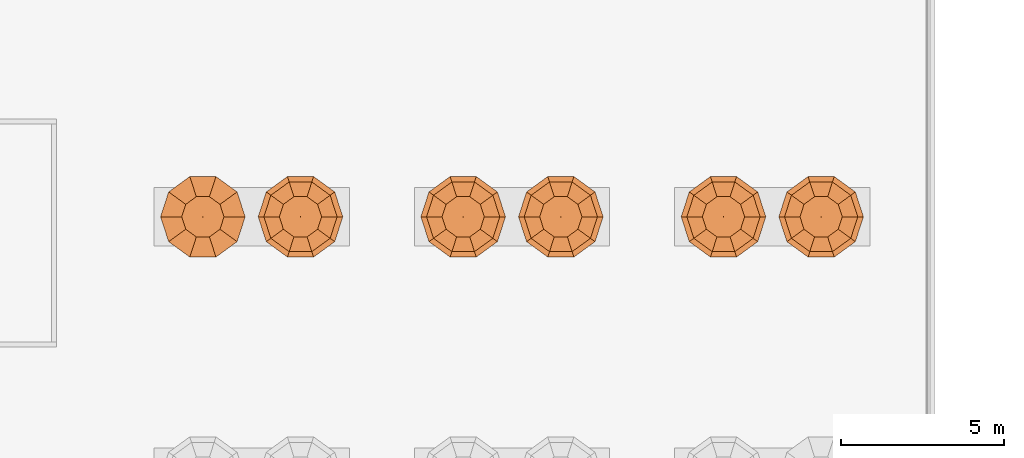
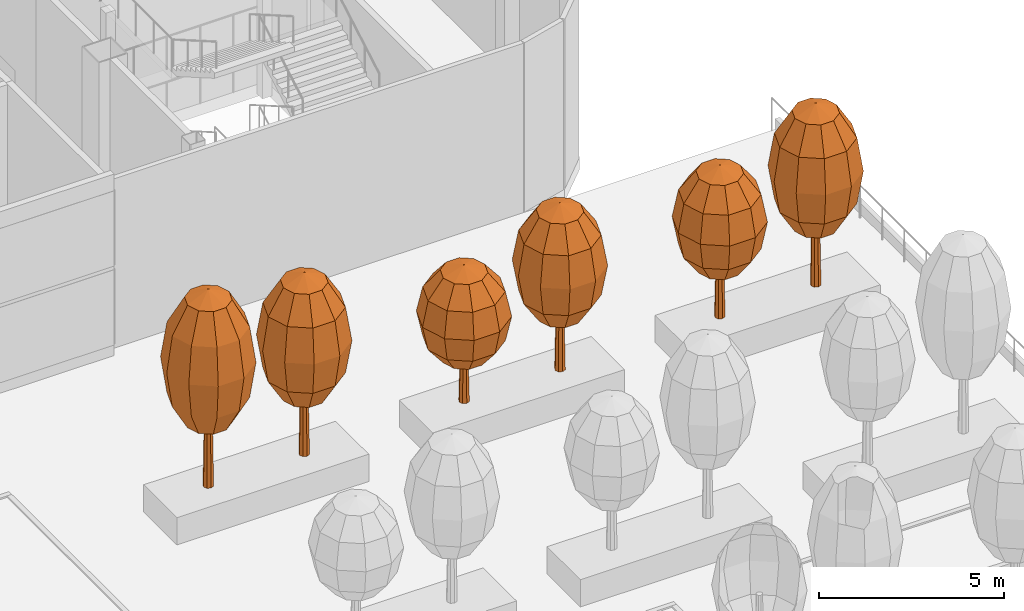
# One storey, part 100 of 100: 6 proxies.
"""IFC4 building model written with IfcOpenShell, lengths in metres."""

from ifc_helpers import new_model, si_unit, direction, frame, origin, place, context, subcontext, project, spatial, triangles, element, save


model = new_model("IFC4")

# Units and contexts
model_context = context("Model", 3, precision=1e-05, world=origin(), true_north=direction((0.0, 1.0)))
body_context = subcontext(model_context, "Body", "Model", "MODEL_VIEW")
ifc_project = project(units=[si_unit("LENGTHUNIT", "METRE"), si_unit("AREAUNIT", "SQUARE_METRE"), si_unit("VOLUMEUNIT", "CUBIC_METRE"), si_unit("PLANEANGLEUNIT", "RADIAN"), si_unit("MASSUNIT", "GRAM", prefix="KILO")], contexts=[model_context])

# Site, building, storey
site_placement = place(None, origin())
site = spatial("IfcSite", under=ifc_project, at=site_placement, CompositionType="ELEMENT")
building_placement = place(site_placement, origin())
building = spatial("IfcBuilding", under=site, at=building_placement, Name="Hakoniwa Tower and Hamabe Station Hall", CompositionType="ELEMENT")
storey_placement = place(building_placement, frame((0.0, 0.0, 9.0)))
storey = spatial("IfcBuildingStorey", under=building, at=storey_placement, Name="L02", CompositionType="ELEMENT", Elevation=9.0)

# Proxies
proxy_1_placement = place(storey_placement, frame((37.5, -33.0, 0.89990234375)))
element("IfcBuildingElementProxy", 1, at=proxy_1_placement, inside=storey, Name="Tree Quercus phillyraeoides 22-1", ObjectType="TREE", PredefinedType="USERDEFINED", context=body_context, shape_type="Tessellation", body=[
    triangles([(0.14990234375, 0.0, 0.0), (0.106201171875, 0.106201171875, 0.0), (0.0, 0.14990234375, 0.0), (-0.106201171875, 0.106201171875, 0.0), (-0.14990234375, 0.0, 0.0), (-0.106201171875, -0.106201171875, 0.0), (0.0, -0.14990234375, 0.0), (0.106201171875, -0.106201171875, 0.0), (0.090087890625, 0.0, 3.926025390625), (0.063720703125, 0.063720703125, 3.926025390625), (0.0, 0.090087890625, 3.926025390625), (-0.063720703125, 0.063720703125, 3.926025390625), (-0.090087890625, 0.0, 3.926025390625), (-0.063720703125, -0.063720703125, 3.926025390625), (0.0, -0.090087890625, 3.926025390625), (0.063720703125, -0.063720703125, 3.926025390625), (0.0, 0.0, 0.0), (0.0, 0.0, 3.926025390625)], [[1, 2, 10], [1, 10, 9], [17, 2, 1], [18, 9, 10], [2, 3, 11], [2, 11, 10], [17, 3, 2], [18, 10, 11], [3, 4, 12], [3, 12, 11], [17, 4, 3], [18, 11, 12], [4, 5, 13], [4, 13, 12], [17, 5, 4], [18, 12, 13], [5, 6, 14], [5, 14, 13], [17, 6, 5], [18, 13, 14], [6, 7, 15], [6, 15, 14], [17, 7, 6], [18, 14, 15], [7, 8, 16], [7, 16, 15], [17, 8, 7], [18, 15, 16], [8, 1, 9], [8, 9, 16], [17, 1, 8], [18, 16, 9]], closed=True),
    triangles([(0.0, 0.0, 1.820068359375), (0.64990234375, 0.0, 2.133544921875), (0.52587890625, 0.382080078125, 2.133544921875), (0.200927734375, 0.6181640625, 2.133544921875), (-0.200927734375, 0.6181640625, 2.133544921875), (-0.52587890625, 0.382080078125, 2.133544921875), (-0.64990234375, 0.0, 2.133544921875), (-0.52587890625, -0.382080078125, 2.133544921875), (-0.200927734375, -0.6181640625, 2.133544921875), (0.200927734375, -0.6181640625, 2.133544921875), (0.52587890625, -0.382080078125, 2.133544921875), (1.1259765625, 0.0, 2.989990234375), (0.910888671875, 0.661865234375, 2.989990234375), (0.347900390625, 1.07080078125, 2.989990234375), (-0.347900390625, 1.07080078125, 2.989990234375), (-0.910888671875, 0.661865234375, 2.989990234375), (-1.1259765625, 0.0, 2.989990234375), (-0.910888671875, -0.661865234375, 2.989990234375), (-0.347900390625, -1.07080078125, 2.989990234375), (0.347900390625, -1.07080078125, 2.989990234375), (0.910888671875, -0.661865234375, 2.989990234375), (1.300048828125, 0.0, 4.159912109375), (1.0517578125, 0.76416015625, 4.159912109375), (0.40185546875, 1.236328125, 4.159912109375), (-0.40185546875, 1.236328125, 4.159912109375), (-1.0517578125, 0.76416015625, 4.159912109375), (-1.300048828125, 0.0, 4.159912109375), (-1.0517578125, -0.76416015625, 4.159912109375), (-0.40185546875, -1.236328125, 4.159912109375), (0.40185546875, -1.236328125, 4.159912109375), (1.0517578125, -0.76416015625, 4.159912109375), (1.1259765625, 0.0, 5.330078125), (0.910888671875, 0.661865234375, 5.330078125), (0.347900390625, 1.07080078125, 5.330078125), (-0.347900390625, 1.07080078125, 5.330078125), (-0.910888671875, 0.661865234375, 5.330078125), (-1.1259765625, 0.0, 5.330078125), (-0.910888671875, -0.661865234375, 5.330078125), (-0.347900390625, -1.07080078125, 5.330078125), (0.347900390625, -1.07080078125, 5.330078125), (0.910888671875, -0.661865234375, 5.330078125), (0.64990234375, 0.0, 6.1865234375), (0.52587890625, 0.382080078125, 6.1865234375), (0.200927734375, 0.6181640625, 6.1865234375), (-0.200927734375, 0.6181640625, 6.1865234375), (-0.52587890625, 0.382080078125, 6.1865234375), (-0.64990234375, 0.0, 6.1865234375), (-0.52587890625, -0.382080078125, 6.1865234375), (-0.200927734375, -0.6181640625, 6.1865234375), (0.200927734375, -0.6181640625, 6.1865234375), (0.52587890625, -0.382080078125, 6.1865234375), (0.0, 0.0, 6.5)], [[1, 3, 2], [1, 4, 3], [1, 5, 4], [1, 6, 5], [1, 7, 6], [1, 8, 7], [1, 9, 8], [1, 10, 9], [1, 11, 10], [1, 2, 11], [2, 3, 13], [2, 13, 12], [3, 4, 14], [3, 14, 13], [4, 5, 15], [4, 15, 14], [5, 6, 16], [5, 16, 15], [6, 7, 17], [6, 17, 16], [7, 8, 18], [7, 18, 17], [8, 9, 19], [8, 19, 18], [9, 10, 20], [9, 20, 19], [10, 11, 21], [10, 21, 20], [11, 2, 12], [11, 12, 21], [12, 13, 23], [12, 23, 22], [13, 14, 24], [13, 24, 23], [14, 15, 25], [14, 25, 24], [15, 16, 26], [15, 26, 25], [16, 17, 27], [16, 27, 26], [17, 18, 28], [17, 28, 27], [18, 19, 29], [18, 29, 28], [19, 20, 30], [19, 30, 29], [20, 21, 31], [20, 31, 30], [21, 12, 22], [21, 22, 31], [22, 23, 33], [22, 33, 32], [23, 24, 34], [23, 34, 33], [24, 25, 35], [24, 35, 34], [25, 26, 36], [25, 36, 35], [26, 27, 37], [26, 37, 36], [27, 28, 38], [27, 38, 37], [28, 29, 39], [28, 39, 38], [29, 30, 40], [29, 40, 39], [30, 31, 41], [30, 41, 40], [31, 22, 32], [31, 32, 41], [32, 33, 43], [32, 43, 42], [33, 34, 44], [33, 44, 43], [34, 35, 45], [34, 45, 44], [35, 36, 46], [35, 46, 45], [36, 37, 47], [36, 47, 46], [37, 38, 48], [37, 48, 47], [38, 39, 49], [38, 49, 48], [39, 40, 50], [39, 50, 49], [40, 41, 51], [40, 51, 50], [41, 32, 42], [41, 42, 51], [52, 42, 43], [52, 43, 44], [52, 44, 45], [52, 45, 46], [52, 46, 47], [52, 47, 48], [52, 48, 49], [52, 49, 50], [52, 50, 51], [52, 51, 42]], closed=True),
])
proxy_2_placement = place(storey_placement, frame((40.5, -33.0, 0.89990234375)))
element("IfcBuildingElementProxy", 2, at=proxy_2_placement, inside=storey, Name="Tree Ilex rotunda 22-2", ObjectType="TREE", PredefinedType="USERDEFINED", context=body_context, shape_type="Tessellation", body=[
    triangles([(0.14990234375, 0.0, 0.0), (0.106201171875, 0.106201171875, 0.0), (0.0, 0.14990234375, 0.0), (-0.106201171875, 0.106201171875, 0.0), (-0.14990234375, 0.0, 0.0), (-0.106201171875, -0.106201171875, 0.0), (0.0, -0.14990234375, 0.0), (0.106201171875, -0.106201171875, 0.0), (0.090087890625, 0.0, 3.6240234375), (0.063720703125, 0.063720703125, 3.6240234375), (0.0, 0.090087890625, 3.6240234375), (-0.063720703125, 0.063720703125, 3.6240234375), (-0.090087890625, 0.0, 3.6240234375), (-0.063720703125, -0.063720703125, 3.6240234375), (0.0, -0.090087890625, 3.6240234375), (0.063720703125, -0.063720703125, 3.6240234375), (0.0, 0.0, 0.0), (0.0, 0.0, 3.6240234375)], [[1, 2, 10], [1, 10, 9], [17, 2, 1], [18, 9, 10], [2, 3, 11], [2, 11, 10], [17, 3, 2], [18, 10, 11], [3, 4, 12], [3, 12, 11], [17, 4, 3], [18, 11, 12], [4, 5, 13], [4, 13, 12], [17, 5, 4], [18, 12, 13], [5, 6, 14], [5, 14, 13], [17, 6, 5], [18, 13, 14], [6, 7, 15], [6, 15, 14], [17, 7, 6], [18, 14, 15], [7, 8, 16], [7, 16, 15], [17, 8, 7], [18, 15, 16], [8, 1, 9], [8, 9, 16], [17, 1, 8], [18, 16, 9]], closed=True),
    triangles([(0.0, 0.0, 1.679931640625), (0.64990234375, 0.0, 1.969482421875), (0.52587890625, 0.382080078125, 1.969482421875), (0.200927734375, 0.6181640625, 1.969482421875), (-0.200927734375, 0.6181640625, 1.969482421875), (-0.52587890625, 0.382080078125, 1.969482421875), (-0.64990234375, 0.0, 1.969482421875), (-0.52587890625, -0.382080078125, 1.969482421875), (-0.200927734375, -0.6181640625, 1.969482421875), (0.200927734375, -0.6181640625, 1.969482421875), (0.52587890625, -0.382080078125, 1.969482421875), (1.1259765625, 0.0, 2.760009765625), (0.910888671875, 0.661865234375, 2.760009765625), (0.347900390625, 1.07080078125, 2.760009765625), (-0.347900390625, 1.07080078125, 2.760009765625), (-0.910888671875, 0.661865234375, 2.760009765625), (-1.1259765625, 0.0, 2.760009765625), (-0.910888671875, -0.661865234375, 2.760009765625), (-0.347900390625, -1.07080078125, 2.760009765625), (0.347900390625, -1.07080078125, 2.760009765625), (0.910888671875, -0.661865234375, 2.760009765625), (1.300048828125, 0.0, 3.840087890625), (1.0517578125, 0.76416015625, 3.840087890625), (0.40185546875, 1.236328125, 3.840087890625), (-0.40185546875, 1.236328125, 3.840087890625), (-1.0517578125, 0.76416015625, 3.840087890625), (-1.300048828125, 0.0, 3.840087890625), (-1.0517578125, -0.76416015625, 3.840087890625), (-0.40185546875, -1.236328125, 3.840087890625), (0.40185546875, -1.236328125, 3.840087890625), (1.0517578125, -0.76416015625, 3.840087890625), (1.1259765625, 0.0, 4.919921875), (0.910888671875, 0.661865234375, 4.919921875), (0.347900390625, 1.07080078125, 4.919921875), (-0.347900390625, 1.07080078125, 4.919921875), (-0.910888671875, 0.661865234375, 4.919921875), (-1.1259765625, 0.0, 4.919921875), (-0.910888671875, -0.661865234375, 4.919921875), (-0.347900390625, -1.07080078125, 4.919921875), (0.347900390625, -1.07080078125, 4.919921875), (0.910888671875, -0.661865234375, 4.919921875), (0.64990234375, 0.0, 5.710693359375), (0.52587890625, 0.382080078125, 5.710693359375), (0.200927734375, 0.6181640625, 5.710693359375), (-0.200927734375, 0.6181640625, 5.710693359375), (-0.52587890625, 0.382080078125, 5.710693359375), (-0.64990234375, 0.0, 5.710693359375), (-0.52587890625, -0.382080078125, 5.710693359375), (-0.200927734375, -0.6181640625, 5.710693359375), (0.200927734375, -0.6181640625, 5.710693359375), (0.52587890625, -0.382080078125, 5.710693359375), (0.0, 0.0, 6.0)], [[1, 3, 2], [1, 4, 3], [1, 5, 4], [1, 6, 5], [1, 7, 6], [1, 8, 7], [1, 9, 8], [1, 10, 9], [1, 11, 10], [1, 2, 11], [2, 3, 13], [2, 13, 12], [3, 4, 14], [3, 14, 13], [4, 5, 15], [4, 15, 14], [5, 6, 16], [5, 16, 15], [6, 7, 17], [6, 17, 16], [7, 8, 18], [7, 18, 17], [8, 9, 19], [8, 19, 18], [9, 10, 20], [9, 20, 19], [10, 11, 21], [10, 21, 20], [11, 2, 12], [11, 12, 21], [12, 13, 23], [12, 23, 22], [13, 14, 24], [13, 24, 23], [14, 15, 25], [14, 25, 24], [15, 16, 26], [15, 26, 25], [16, 17, 27], [16, 27, 26], [17, 18, 28], [17, 28, 27], [18, 19, 29], [18, 29, 28], [19, 20, 30], [19, 30, 29], [20, 21, 31], [20, 31, 30], [21, 12, 22], [21, 22, 31], [22, 23, 33], [22, 33, 32], [23, 24, 34], [23, 34, 33], [24, 25, 35], [24, 35, 34], [25, 26, 36], [25, 36, 35], [26, 27, 37], [26, 37, 36], [27, 28, 38], [27, 38, 37], [28, 29, 39], [28, 39, 38], [29, 30, 40], [29, 40, 39], [30, 31, 41], [30, 41, 40], [31, 22, 32], [31, 32, 41], [32, 33, 43], [32, 43, 42], [33, 34, 44], [33, 44, 43], [34, 35, 45], [34, 45, 44], [35, 36, 46], [35, 46, 45], [36, 37, 47], [36, 47, 46], [37, 38, 48], [37, 48, 47], [38, 39, 49], [38, 49, 48], [39, 40, 50], [39, 50, 49], [40, 41, 51], [40, 51, 50], [41, 32, 42], [41, 42, 51], [52, 42, 43], [52, 43, 44], [52, 44, 45], [52, 45, 46], [52, 46, 47], [52, 47, 48], [52, 48, 49], [52, 49, 50], [52, 50, 51], [52, 51, 42]], closed=True),
])
proxy_3_placement = place(storey_placement, frame((45.5, -33.0, 0.89990234375)))
element("IfcBuildingElementProxy", 3, at=proxy_3_placement, inside=storey, Name="Tree Camellia sasanqua 23-1", ObjectType="TREE", PredefinedType="USERDEFINED", context=body_context, shape_type="Tessellation", body=[
    triangles([(0.14990234375, 0.0, 0.0), (0.106201171875, 0.106201171875, 0.0), (0.0, 0.14990234375, 0.0), (-0.106201171875, 0.106201171875, 0.0), (-0.14990234375, 0.0, 0.0), (-0.106201171875, -0.106201171875, 0.0), (0.0, -0.14990234375, 0.0), (0.106201171875, -0.106201171875, 0.0), (0.090087890625, 0.0, 2.718017578125), (0.063720703125, 0.063720703125, 2.718017578125), (0.0, 0.090087890625, 2.718017578125), (-0.063720703125, 0.063720703125, 2.718017578125), (-0.090087890625, 0.0, 2.718017578125), (-0.063720703125, -0.063720703125, 2.718017578125), (0.0, -0.090087890625, 2.718017578125), (0.063720703125, -0.063720703125, 2.718017578125), (0.0, 0.0, 0.0), (0.0, 0.0, 2.718017578125)], [[1, 2, 10], [1, 10, 9], [17, 2, 1], [18, 9, 10], [2, 3, 11], [2, 11, 10], [17, 3, 2], [18, 10, 11], [3, 4, 12], [3, 12, 11], [17, 4, 3], [18, 11, 12], [4, 5, 13], [4, 13, 12], [17, 5, 4], [18, 12, 13], [5, 6, 14], [5, 14, 13], [17, 6, 5], [18, 13, 14], [6, 7, 15], [6, 15, 14], [17, 7, 6], [18, 14, 15], [7, 8, 16], [7, 16, 15], [17, 8, 7], [18, 15, 16], [8, 1, 9], [8, 9, 16], [17, 1, 8], [18, 16, 9]], closed=True),
    triangles([(0.0, 0.0, 1.260009765625), (0.64990234375, 0.0, 1.47705078125), (0.52587890625, 0.382080078125, 1.47705078125), (0.200927734375, 0.6181640625, 1.47705078125), (-0.200927734375, 0.6181640625, 1.47705078125), (-0.52587890625, 0.382080078125, 1.47705078125), (-0.64990234375, 0.0, 1.47705078125), (-0.52587890625, -0.382080078125, 1.47705078125), (-0.200927734375, -0.6181640625, 1.47705078125), (0.200927734375, -0.6181640625, 1.47705078125), (0.52587890625, -0.382080078125, 1.47705078125), (1.1259765625, 0.0, 2.070068359375), (0.910888671875, 0.661865234375, 2.070068359375), (0.347900390625, 1.07080078125, 2.070068359375), (-0.347900390625, 1.07080078125, 2.070068359375), (-0.910888671875, 0.661865234375, 2.070068359375), (-1.1259765625, 0.0, 2.070068359375), (-0.910888671875, -0.661865234375, 2.070068359375), (-0.347900390625, -1.07080078125, 2.070068359375), (0.347900390625, -1.07080078125, 2.070068359375), (0.910888671875, -0.661865234375, 2.070068359375), (1.300048828125, 0.0, 2.8798828125), (1.0517578125, 0.76416015625, 2.8798828125), (0.40185546875, 1.236328125, 2.8798828125), (-0.40185546875, 1.236328125, 2.8798828125), (-1.0517578125, 0.76416015625, 2.8798828125), (-1.300048828125, 0.0, 2.8798828125), (-1.0517578125, -0.76416015625, 2.8798828125), (-0.40185546875, -1.236328125, 2.8798828125), (0.40185546875, -1.236328125, 2.8798828125), (1.0517578125, -0.76416015625, 2.8798828125), (1.1259765625, 0.0, 3.68994140625), (0.910888671875, 0.661865234375, 3.68994140625), (0.347900390625, 1.07080078125, 3.68994140625), (-0.347900390625, 1.07080078125, 3.68994140625), (-0.910888671875, 0.661865234375, 3.68994140625), (-1.1259765625, 0.0, 3.68994140625), (-0.910888671875, -0.661865234375, 3.68994140625), (-0.347900390625, -1.07080078125, 3.68994140625), (0.347900390625, -1.07080078125, 3.68994140625), (0.910888671875, -0.661865234375, 3.68994140625), (0.64990234375, 0.0, 4.282958984375), (0.52587890625, 0.382080078125, 4.282958984375), (0.200927734375, 0.6181640625, 4.282958984375), (-0.200927734375, 0.6181640625, 4.282958984375), (-0.52587890625, 0.382080078125, 4.282958984375), (-0.64990234375, 0.0, 4.282958984375), (-0.52587890625, -0.382080078125, 4.282958984375), (-0.200927734375, -0.6181640625, 4.282958984375), (0.200927734375, -0.6181640625, 4.282958984375), (0.52587890625, -0.382080078125, 4.282958984375), (0.0, 0.0, 4.5)], [[1, 3, 2], [1, 4, 3], [1, 5, 4], [1, 6, 5], [1, 7, 6], [1, 8, 7], [1, 9, 8], [1, 10, 9], [1, 11, 10], [1, 2, 11], [2, 3, 13], [2, 13, 12], [3, 4, 14], [3, 14, 13], [4, 5, 15], [4, 15, 14], [5, 6, 16], [5, 16, 15], [6, 7, 17], [6, 17, 16], [7, 8, 18], [7, 18, 17], [8, 9, 19], [8, 19, 18], [9, 10, 20], [9, 20, 19], [10, 11, 21], [10, 21, 20], [11, 2, 12], [11, 12, 21], [12, 13, 23], [12, 23, 22], [13, 14, 24], [13, 24, 23], [14, 15, 25], [14, 25, 24], [15, 16, 26], [15, 26, 25], [16, 17, 27], [16, 27, 26], [17, 18, 28], [17, 28, 27], [18, 19, 29], [18, 29, 28], [19, 20, 30], [19, 30, 29], [20, 21, 31], [20, 31, 30], [21, 12, 22], [21, 22, 31], [22, 23, 33], [22, 33, 32], [23, 24, 34], [23, 34, 33], [24, 25, 35], [24, 35, 34], [25, 26, 36], [25, 36, 35], [26, 27, 37], [26, 37, 36], [27, 28, 38], [27, 38, 37], [28, 29, 39], [28, 39, 38], [29, 30, 40], [29, 40, 39], [30, 31, 41], [30, 41, 40], [31, 22, 32], [31, 32, 41], [32, 33, 43], [32, 43, 42], [33, 34, 44], [33, 44, 43], [34, 35, 45], [34, 45, 44], [35, 36, 46], [35, 46, 45], [36, 37, 47], [36, 47, 46], [37, 38, 48], [37, 48, 47], [38, 39, 49], [38, 49, 48], [39, 40, 50], [39, 50, 49], [40, 41, 51], [40, 51, 50], [41, 32, 42], [41, 42, 51], [52, 42, 43], [52, 43, 44], [52, 44, 45], [52, 45, 46], [52, 46, 47], [52, 47, 48], [52, 48, 49], [52, 49, 50], [52, 50, 51], [52, 51, 42]], closed=True),
])
proxy_4_placement = place(storey_placement, frame((48.5, -33.0, 0.89990234375)))
element("IfcBuildingElementProxy", 4, at=proxy_4_placement, inside=storey, Name="Tree Ternstroemia gymnanthera 23-2", ObjectType="TREE", PredefinedType="USERDEFINED", context=body_context, shape_type="Tessellation", body=[
    triangles([(0.14990234375, 0.0, 0.0), (0.106201171875, 0.106201171875, 0.0), (0.0, 0.14990234375, 0.0), (-0.106201171875, 0.106201171875, 0.0), (-0.14990234375, 0.0, 0.0), (-0.106201171875, -0.106201171875, 0.0), (0.0, -0.14990234375, 0.0), (0.106201171875, -0.106201171875, 0.0), (0.090087890625, 0.0, 3.322021484375), (0.063720703125, 0.063720703125, 3.322021484375), (0.0, 0.090087890625, 3.322021484375), (-0.063720703125, 0.063720703125, 3.322021484375), (-0.090087890625, 0.0, 3.322021484375), (-0.063720703125, -0.063720703125, 3.322021484375), (0.0, -0.090087890625, 3.322021484375), (0.063720703125, -0.063720703125, 3.322021484375), (0.0, 0.0, 0.0), (0.0, 0.0, 3.322021484375)], [[1, 2, 10], [1, 10, 9], [17, 2, 1], [18, 9, 10], [2, 3, 11], [2, 11, 10], [17, 3, 2], [18, 10, 11], [3, 4, 12], [3, 12, 11], [17, 4, 3], [18, 11, 12], [4, 5, 13], [4, 13, 12], [17, 5, 4], [18, 12, 13], [5, 6, 14], [5, 14, 13], [17, 6, 5], [18, 13, 14], [6, 7, 15], [6, 15, 14], [17, 7, 6], [18, 14, 15], [7, 8, 16], [7, 16, 15], [17, 8, 7], [18, 15, 16], [8, 1, 9], [8, 9, 16], [17, 1, 8], [18, 16, 9]], closed=True),
    triangles([(0.0, 0.0, 1.5400390625), (0.64990234375, 0.0, 1.80517578125), (0.52587890625, 0.382080078125, 1.80517578125), (0.200927734375, 0.6181640625, 1.80517578125), (-0.200927734375, 0.6181640625, 1.80517578125), (-0.52587890625, 0.382080078125, 1.80517578125), (-0.64990234375, 0.0, 1.80517578125), (-0.52587890625, -0.382080078125, 1.80517578125), (-0.200927734375, -0.6181640625, 1.80517578125), (0.200927734375, -0.6181640625, 1.80517578125), (0.52587890625, -0.382080078125, 1.80517578125), (1.1259765625, 0.0, 2.530029296875), (0.910888671875, 0.661865234375, 2.530029296875), (0.347900390625, 1.07080078125, 2.530029296875), (-0.347900390625, 1.07080078125, 2.530029296875), (-0.910888671875, 0.661865234375, 2.530029296875), (-1.1259765625, 0.0, 2.530029296875), (-0.910888671875, -0.661865234375, 2.530029296875), (-0.347900390625, -1.07080078125, 2.530029296875), (0.347900390625, -1.07080078125, 2.530029296875), (0.910888671875, -0.661865234375, 2.530029296875), (1.300048828125, 0.0, 3.52001953125), (1.0517578125, 0.76416015625, 3.52001953125), (0.40185546875, 1.236328125, 3.52001953125), (-0.40185546875, 1.236328125, 3.52001953125), (-1.0517578125, 0.76416015625, 3.52001953125), (-1.300048828125, 0.0, 3.52001953125), (-1.0517578125, -0.76416015625, 3.52001953125), (-0.40185546875, -1.236328125, 3.52001953125), (0.40185546875, -1.236328125, 3.52001953125), (1.0517578125, -0.76416015625, 3.52001953125), (1.1259765625, 0.0, 4.510009765625), (0.910888671875, 0.661865234375, 4.510009765625), (0.347900390625, 1.07080078125, 4.510009765625), (-0.347900390625, 1.07080078125, 4.510009765625), (-0.910888671875, 0.661865234375, 4.510009765625), (-1.1259765625, 0.0, 4.510009765625), (-0.910888671875, -0.661865234375, 4.510009765625), (-0.347900390625, -1.07080078125, 4.510009765625), (0.347900390625, -1.07080078125, 4.510009765625), (0.910888671875, -0.661865234375, 4.510009765625), (0.64990234375, 0.0, 5.234619140625), (0.52587890625, 0.382080078125, 5.234619140625), (0.200927734375, 0.6181640625, 5.234619140625), (-0.200927734375, 0.6181640625, 5.234619140625), (-0.52587890625, 0.382080078125, 5.234619140625), (-0.64990234375, 0.0, 5.234619140625), (-0.52587890625, -0.382080078125, 5.234619140625), (-0.200927734375, -0.6181640625, 5.234619140625), (0.200927734375, -0.6181640625, 5.234619140625), (0.52587890625, -0.382080078125, 5.234619140625), (0.0, 0.0, 5.5)], [[1, 3, 2], [1, 4, 3], [1, 5, 4], [1, 6, 5], [1, 7, 6], [1, 8, 7], [1, 9, 8], [1, 10, 9], [1, 11, 10], [1, 2, 11], [2, 3, 13], [2, 13, 12], [3, 4, 14], [3, 14, 13], [4, 5, 15], [4, 15, 14], [5, 6, 16], [5, 16, 15], [6, 7, 17], [6, 17, 16], [7, 8, 18], [7, 18, 17], [8, 9, 19], [8, 19, 18], [9, 10, 20], [9, 20, 19], [10, 11, 21], [10, 21, 20], [11, 2, 12], [11, 12, 21], [12, 13, 23], [12, 23, 22], [13, 14, 24], [13, 24, 23], [14, 15, 25], [14, 25, 24], [15, 16, 26], [15, 26, 25], [16, 17, 27], [16, 27, 26], [17, 18, 28], [17, 28, 27], [18, 19, 29], [18, 29, 28], [19, 20, 30], [19, 30, 29], [20, 21, 31], [20, 31, 30], [21, 12, 22], [21, 22, 31], [22, 23, 33], [22, 33, 32], [23, 24, 34], [23, 34, 33], [24, 25, 35], [24, 35, 34], [25, 26, 36], [25, 36, 35], [26, 27, 37], [26, 37, 36], [27, 28, 38], [27, 38, 37], [28, 29, 39], [28, 39, 38], [29, 30, 40], [29, 40, 39], [30, 31, 41], [30, 41, 40], [31, 22, 32], [31, 32, 41], [32, 33, 43], [32, 43, 42], [33, 34, 44], [33, 44, 43], [34, 35, 45], [34, 45, 44], [35, 36, 46], [35, 46, 45], [36, 37, 47], [36, 47, 46], [37, 38, 48], [37, 48, 47], [38, 39, 49], [38, 49, 48], [39, 40, 50], [39, 50, 49], [40, 41, 51], [40, 51, 50], [41, 32, 42], [41, 42, 51], [52, 42, 43], [52, 43, 44], [52, 44, 45], [52, 45, 46], [52, 46, 47], [52, 47, 48], [52, 48, 49], [52, 49, 50], [52, 50, 51], [52, 51, 42]], closed=True),
])
proxy_5_placement = place(storey_placement, frame((53.5, -33.0, 0.89990234375)))
element("IfcBuildingElementProxy", 5, at=proxy_5_placement, inside=storey, Name="Tree Ilex pedunculosa 24-1", ObjectType="TREE", PredefinedType="USERDEFINED", context=body_context, shape_type="Tessellation", body=[
    triangles([(0.14990234375, 0.0, 0.0), (0.106201171875, 0.106201171875, 0.0), (0.0, 0.14990234375, 0.0), (-0.106201171875, 0.106201171875, 0.0), (-0.14990234375, 0.0, 0.0), (-0.106201171875, -0.106201171875, 0.0), (0.0, -0.14990234375, 0.0), (0.106201171875, -0.106201171875, 0.0), (0.090087890625, 0.0, 3.02001953125), (0.063720703125, 0.063720703125, 3.02001953125), (0.0, 0.090087890625, 3.02001953125), (-0.063720703125, 0.063720703125, 3.02001953125), (-0.090087890625, 0.0, 3.02001953125), (-0.063720703125, -0.063720703125, 3.02001953125), (0.0, -0.090087890625, 3.02001953125), (0.063720703125, -0.063720703125, 3.02001953125), (0.0, 0.0, 0.0), (0.0, 0.0, 3.02001953125)], [[1, 2, 10], [1, 10, 9], [17, 2, 1], [18, 9, 10], [2, 3, 11], [2, 11, 10], [17, 3, 2], [18, 10, 11], [3, 4, 12], [3, 12, 11], [17, 4, 3], [18, 11, 12], [4, 5, 13], [4, 13, 12], [17, 5, 4], [18, 12, 13], [5, 6, 14], [5, 14, 13], [17, 6, 5], [18, 13, 14], [6, 7, 15], [6, 15, 14], [17, 7, 6], [18, 14, 15], [7, 8, 16], [7, 16, 15], [17, 8, 7], [18, 15, 16], [8, 1, 9], [8, 9, 16], [17, 1, 8], [18, 16, 9]], closed=True),
    triangles([(0.0, 0.0, 1.39990234375), (0.64990234375, 0.0, 1.64111328125), (0.52587890625, 0.382080078125, 1.64111328125), (0.200927734375, 0.6181640625, 1.64111328125), (-0.200927734375, 0.6181640625, 1.64111328125), (-0.52587890625, 0.382080078125, 1.64111328125), (-0.64990234375, 0.0, 1.64111328125), (-0.52587890625, -0.382080078125, 1.64111328125), (-0.200927734375, -0.6181640625, 1.64111328125), (0.200927734375, -0.6181640625, 1.64111328125), (0.52587890625, -0.382080078125, 1.64111328125), (1.1259765625, 0.0, 2.300048828125), (0.910888671875, 0.661865234375, 2.300048828125), (0.347900390625, 1.07080078125, 2.300048828125), (-0.347900390625, 1.07080078125, 2.300048828125), (-0.910888671875, 0.661865234375, 2.300048828125), (-1.1259765625, 0.0, 2.300048828125), (-0.910888671875, -0.661865234375, 2.300048828125), (-0.347900390625, -1.07080078125, 2.300048828125), (0.347900390625, -1.07080078125, 2.300048828125), (0.910888671875, -0.661865234375, 2.300048828125), (1.300048828125, 0.0, 3.199951171875), (1.0517578125, 0.76416015625, 3.199951171875), (0.40185546875, 1.236328125, 3.199951171875), (-0.40185546875, 1.236328125, 3.199951171875), (-1.0517578125, 0.76416015625, 3.199951171875), (-1.300048828125, 0.0, 3.199951171875), (-1.0517578125, -0.76416015625, 3.199951171875), (-0.40185546875, -1.236328125, 3.199951171875), (0.40185546875, -1.236328125, 3.199951171875), (1.0517578125, -0.76416015625, 3.199951171875), (1.1259765625, 0.0, 4.10009765625), (0.910888671875, 0.661865234375, 4.10009765625), (0.347900390625, 1.07080078125, 4.10009765625), (-0.347900390625, 1.07080078125, 4.10009765625), (-0.910888671875, 0.661865234375, 4.10009765625), (-1.1259765625, 0.0, 4.10009765625), (-0.910888671875, -0.661865234375, 4.10009765625), (-0.347900390625, -1.07080078125, 4.10009765625), (0.347900390625, -1.07080078125, 4.10009765625), (0.910888671875, -0.661865234375, 4.10009765625), (0.64990234375, 0.0, 4.7587890625), (0.52587890625, 0.382080078125, 4.7587890625), (0.200927734375, 0.6181640625, 4.7587890625), (-0.200927734375, 0.6181640625, 4.7587890625), (-0.52587890625, 0.382080078125, 4.7587890625), (-0.64990234375, 0.0, 4.7587890625), (-0.52587890625, -0.382080078125, 4.7587890625), (-0.200927734375, -0.6181640625, 4.7587890625), (0.200927734375, -0.6181640625, 4.7587890625), (0.52587890625, -0.382080078125, 4.7587890625), (0.0, 0.0, 5.0)], [[1, 3, 2], [1, 4, 3], [1, 5, 4], [1, 6, 5], [1, 7, 6], [1, 8, 7], [1, 9, 8], [1, 10, 9], [1, 11, 10], [1, 2, 11], [2, 3, 13], [2, 13, 12], [3, 4, 14], [3, 14, 13], [4, 5, 15], [4, 15, 14], [5, 6, 16], [5, 16, 15], [6, 7, 17], [6, 17, 16], [7, 8, 18], [7, 18, 17], [8, 9, 19], [8, 19, 18], [9, 10, 20], [9, 20, 19], [10, 11, 21], [10, 21, 20], [11, 2, 12], [11, 12, 21], [12, 13, 23], [12, 23, 22], [13, 14, 24], [13, 24, 23], [14, 15, 25], [14, 25, 24], [15, 16, 26], [15, 26, 25], [16, 17, 27], [16, 27, 26], [17, 18, 28], [17, 28, 27], [18, 19, 29], [18, 29, 28], [19, 20, 30], [19, 30, 29], [20, 21, 31], [20, 31, 30], [21, 12, 22], [21, 22, 31], [22, 23, 33], [22, 33, 32], [23, 24, 34], [23, 34, 33], [24, 25, 35], [24, 35, 34], [25, 26, 36], [25, 36, 35], [26, 27, 37], [26, 37, 36], [27, 28, 38], [27, 38, 37], [28, 29, 39], [28, 39, 38], [29, 30, 40], [29, 40, 39], [30, 31, 41], [30, 41, 40], [31, 22, 32], [31, 32, 41], [32, 33, 43], [32, 43, 42], [33, 34, 44], [33, 44, 43], [34, 35, 45], [34, 45, 44], [35, 36, 46], [35, 46, 45], [36, 37, 47], [36, 47, 46], [37, 38, 48], [37, 48, 47], [38, 39, 49], [38, 49, 48], [39, 40, 50], [39, 50, 49], [40, 41, 51], [40, 51, 50], [41, 32, 42], [41, 42, 51], [52, 42, 43], [52, 43, 44], [52, 44, 45], [52, 45, 46], [52, 46, 47], [52, 47, 48], [52, 48, 49], [52, 49, 50], [52, 50, 51], [52, 51, 42]], closed=True),
])
proxy_6_placement = place(storey_placement, frame((56.5, -33.0, 0.89990234375)))
element("IfcBuildingElementProxy", 6, at=proxy_6_placement, inside=storey, Name="Tree Biota orientalis 24-2", ObjectType="TREE", PredefinedType="USERDEFINED", context=body_context, shape_type="Tessellation", body=[
    triangles([(0.14990234375, 0.0, 0.0), (0.106201171875, 0.106201171875, 0.0), (0.0, 0.14990234375, 0.0), (-0.106201171875, 0.106201171875, 0.0), (-0.14990234375, 0.0, 0.0), (-0.106201171875, -0.106201171875, 0.0), (0.0, -0.14990234375, 0.0), (0.106201171875, -0.106201171875, 0.0), (0.090087890625, 0.0, 3.6240234375), (0.063720703125, 0.063720703125, 3.6240234375), (0.0, 0.090087890625, 3.6240234375), (-0.063720703125, 0.063720703125, 3.6240234375), (-0.090087890625, 0.0, 3.6240234375), (-0.063720703125, -0.063720703125, 3.6240234375), (0.0, -0.090087890625, 3.6240234375), (0.063720703125, -0.063720703125, 3.6240234375), (0.0, 0.0, 0.0), (0.0, 0.0, 3.6240234375)], [[1, 2, 10], [1, 10, 9], [17, 2, 1], [18, 9, 10], [2, 3, 11], [2, 11, 10], [17, 3, 2], [18, 10, 11], [3, 4, 12], [3, 12, 11], [17, 4, 3], [18, 11, 12], [4, 5, 13], [4, 13, 12], [17, 5, 4], [18, 12, 13], [5, 6, 14], [5, 14, 13], [17, 6, 5], [18, 13, 14], [6, 7, 15], [6, 15, 14], [17, 7, 6], [18, 14, 15], [7, 8, 16], [7, 16, 15], [17, 8, 7], [18, 15, 16], [8, 1, 9], [8, 9, 16], [17, 1, 8], [18, 16, 9]], closed=True),
    triangles([(0.0, 0.0, 1.679931640625), (0.64990234375, 0.0, 1.969482421875), (0.52587890625, 0.382080078125, 1.969482421875), (0.200927734375, 0.6181640625, 1.969482421875), (-0.200927734375, 0.6181640625, 1.969482421875), (-0.52587890625, 0.382080078125, 1.969482421875), (-0.64990234375, 0.0, 1.969482421875), (-0.52587890625, -0.382080078125, 1.969482421875), (-0.200927734375, -0.6181640625, 1.969482421875), (0.200927734375, -0.6181640625, 1.969482421875), (0.52587890625, -0.382080078125, 1.969482421875), (1.1259765625, 0.0, 2.760009765625), (0.910888671875, 0.661865234375, 2.760009765625), (0.347900390625, 1.07080078125, 2.760009765625), (-0.347900390625, 1.07080078125, 2.760009765625), (-0.910888671875, 0.661865234375, 2.760009765625), (-1.1259765625, 0.0, 2.760009765625), (-0.910888671875, -0.661865234375, 2.760009765625), (-0.347900390625, -1.07080078125, 2.760009765625), (0.347900390625, -1.07080078125, 2.760009765625), (0.910888671875, -0.661865234375, 2.760009765625), (1.300048828125, 0.0, 3.840087890625), (1.0517578125, 0.76416015625, 3.840087890625), (0.40185546875, 1.236328125, 3.840087890625), (-0.40185546875, 1.236328125, 3.840087890625), (-1.0517578125, 0.76416015625, 3.840087890625), (-1.300048828125, 0.0, 3.840087890625), (-1.0517578125, -0.76416015625, 3.840087890625), (-0.40185546875, -1.236328125, 3.840087890625), (0.40185546875, -1.236328125, 3.840087890625), (1.0517578125, -0.76416015625, 3.840087890625), (1.1259765625, 0.0, 4.919921875), (0.910888671875, 0.661865234375, 4.919921875), (0.347900390625, 1.07080078125, 4.919921875), (-0.347900390625, 1.07080078125, 4.919921875), (-0.910888671875, 0.661865234375, 4.919921875), (-1.1259765625, 0.0, 4.919921875), (-0.910888671875, -0.661865234375, 4.919921875), (-0.347900390625, -1.07080078125, 4.919921875), (0.347900390625, -1.07080078125, 4.919921875), (0.910888671875, -0.661865234375, 4.919921875), (0.64990234375, 0.0, 5.710693359375), (0.52587890625, 0.382080078125, 5.710693359375), (0.200927734375, 0.6181640625, 5.710693359375), (-0.200927734375, 0.6181640625, 5.710693359375), (-0.52587890625, 0.382080078125, 5.710693359375), (-0.64990234375, 0.0, 5.710693359375), (-0.52587890625, -0.382080078125, 5.710693359375), (-0.200927734375, -0.6181640625, 5.710693359375), (0.200927734375, -0.6181640625, 5.710693359375), (0.52587890625, -0.382080078125, 5.710693359375), (0.0, 0.0, 6.0)], [[1, 3, 2], [1, 4, 3], [1, 5, 4], [1, 6, 5], [1, 7, 6], [1, 8, 7], [1, 9, 8], [1, 10, 9], [1, 11, 10], [1, 2, 11], [2, 3, 13], [2, 13, 12], [3, 4, 14], [3, 14, 13], [4, 5, 15], [4, 15, 14], [5, 6, 16], [5, 16, 15], [6, 7, 17], [6, 17, 16], [7, 8, 18], [7, 18, 17], [8, 9, 19], [8, 19, 18], [9, 10, 20], [9, 20, 19], [10, 11, 21], [10, 21, 20], [11, 2, 12], [11, 12, 21], [12, 13, 23], [12, 23, 22], [13, 14, 24], [13, 24, 23], [14, 15, 25], [14, 25, 24], [15, 16, 26], [15, 26, 25], [16, 17, 27], [16, 27, 26], [17, 18, 28], [17, 28, 27], [18, 19, 29], [18, 29, 28], [19, 20, 30], [19, 30, 29], [20, 21, 31], [20, 31, 30], [21, 12, 22], [21, 22, 31], [22, 23, 33], [22, 33, 32], [23, 24, 34], [23, 34, 33], [24, 25, 35], [24, 35, 34], [25, 26, 36], [25, 36, 35], [26, 27, 37], [26, 37, 36], [27, 28, 38], [27, 38, 37], [28, 29, 39], [28, 39, 38], [29, 30, 40], [29, 40, 39], [30, 31, 41], [30, 41, 40], [31, 22, 32], [31, 32, 41], [32, 33, 43], [32, 43, 42], [33, 34, 44], [33, 44, 43], [34, 35, 45], [34, 45, 44], [35, 36, 46], [35, 46, 45], [36, 37, 47], [36, 47, 46], [37, 38, 48], [37, 48, 47], [38, 39, 49], [38, 49, 48], [39, 40, 50], [39, 50, 49], [40, 41, 51], [40, 51, 50], [41, 32, 42], [41, 42, 51], [52, 42, 43], [52, 43, 44], [52, 44, 45], [52, 45, 46], [52, 46, 47], [52, 47, 48], [52, 48, 49], [52, 49, 50], [52, 50, 51], [52, 51, 42]], closed=True),
])

save(model, "model.ifc")
